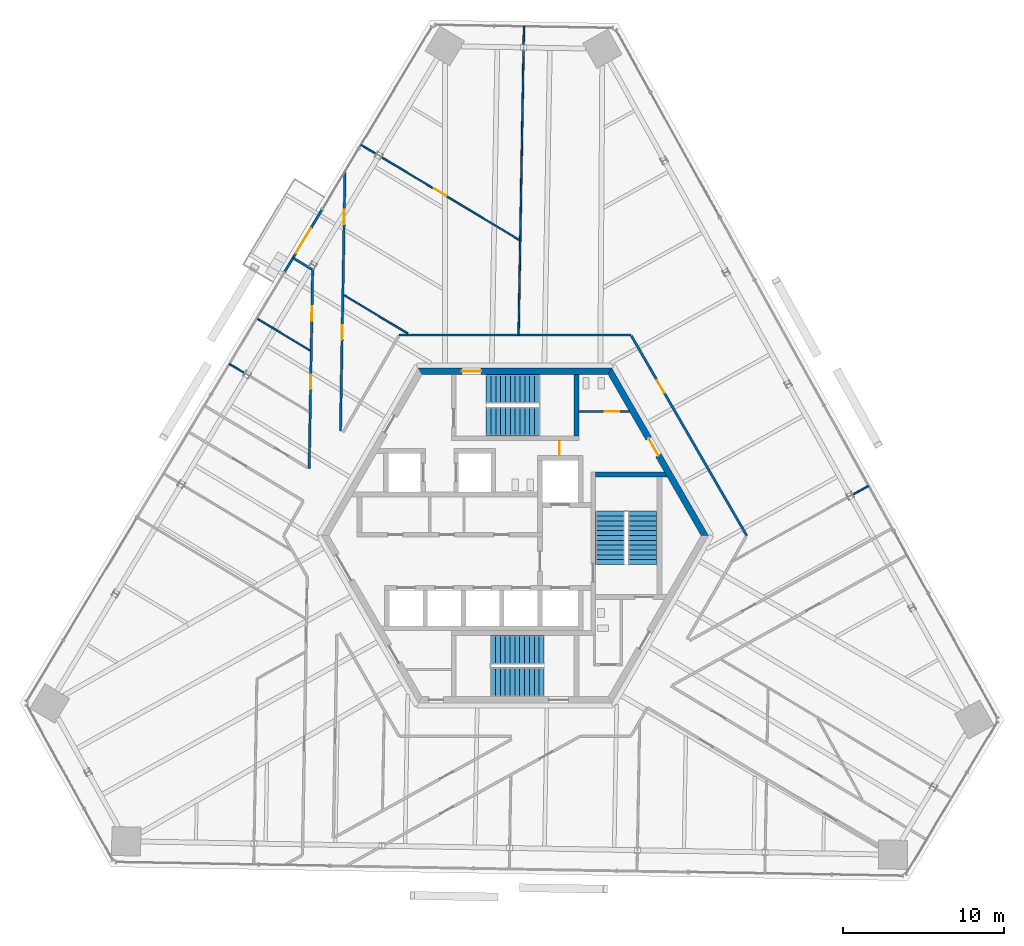
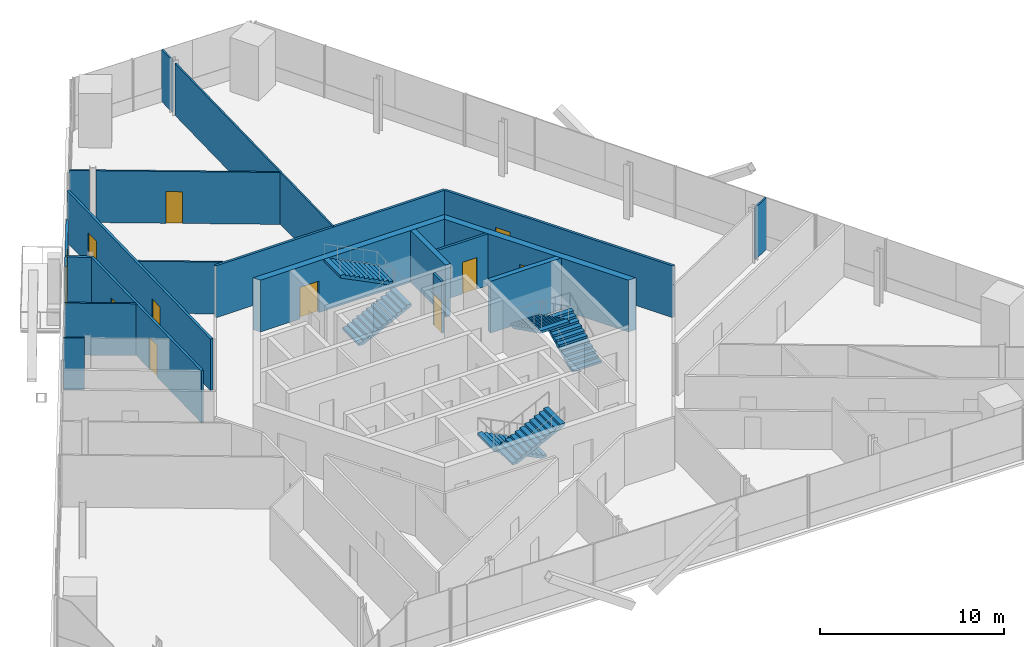
# One storey, part 14 of 18: 20 walls, 11 doors, 6 stair flights, 11 openings, 3 elements without a shape of their own.
"""IFC4 building model written with IfcOpenShell, lengths in metres."""

from ifc_helpers import new_model, si_unit, direction, frame, frame_2d, origin, place, context, subcontext, project, spatial, polyline, rectangle, outline, extrude, source, transform, mapped, material, layer, layer_set, type_object, element, fill, aggregate, save


model = new_model("IFC4")

# Units and contexts
model_context = context("Model", 3, precision=1e-05, world=origin(), true_north=direction((0.0, 1.0)))
body_context = subcontext(model_context, "Body", "Model", "MODEL_VIEW")
ifc_project = project(units=[si_unit("LENGTHUNIT", "METRE"), si_unit("AREAUNIT", "SQUARE_METRE"), si_unit("VOLUMEUNIT", "CUBIC_METRE"), si_unit("PLANEANGLEUNIT", "RADIAN"), si_unit("MASSUNIT", "GRAM", prefix="KILO")], contexts=[model_context])

# Site, building, storey
site_placement = place(None, origin())
site = spatial("IfcSite", under=ifc_project, at=site_placement, CompositionType="ELEMENT")
building_placement = place(site_placement, origin())
building = spatial("IfcBuilding", under=site, at=building_placement, Name="Triune Harvest Tower", CompositionType="ELEMENT")
storey_placement = place(building_placement, frame((0.0, 0.0, 197.89990234375)))
storey = spatial("IfcBuildingStorey", under=building, at=storey_placement, Name="L51", CompositionType="ELEMENT", Elevation=197.89990234375)

# Wall, opening, door
ifc_material_1 = material(Name="Gypsum board on steel studs", Category="steel")
ifc_layer_1 = layer(ifc_material_1, 0.14990234375)
ifc_layer_set_1 = layer_set([ifc_layer_1], Name="Gypsum board on steel studs")
wall_type_1 = type_object("IfcWallType", Name="Fire Partition 150 mm", PredefinedType="PARTITIONING", material=ifc_layer_set_1)
wall_1_placement = place(storey_placement, frame((7.20849609375, 12.39892578125, 0.0), z_axis=(0.0, 0.0, 1.0), x_axis=(0.5000088147, -0.866020314555, 0.0)))
wall_1 = element("IfcWall", 1, at=wall_1_placement, inside=storey, type_object=wall_type_1, Name="Partition L51 004", PredefinedType="PARTITIONING", context=body_context, shape_type="SweptSolid", body=[
    extrude(rectangle(XDim=14.317138671875, YDim=0.14990234375, at=frame_2d((7.15869140625, 0.0))), origin(), (0.0, 0.0, 1.0), 3.440185546875),
])
opening_1_placement = place(wall_1_placement, frame((3.20068359375, 0.0, 0.0)))
opening_1 = element("IfcOpeningElement", 2, at=opening_1_placement, cuts=wall_1, Name="Opening L51-003", PredefinedType="OPENING", context=body_context, shape_type="SweptSolid", body=[
    extrude(rectangle(XDim=0.89990234375, YDim=2.10009765625, at=frame_2d((0.449951171875, 1.050048828125))), frame((0.0, 0.0849609375, 0.0), z_axis=(0.0, -1.0, 0.0), x_axis=(1.0, 0.0, 0.0)), (0.0, 0.0, 1.0), 0.169921875),
])
ifc_material_2 = material(Name="Timber and steel door set", Category="steel")
door_type_1 = type_object("IfcDoorType", Name="Single leaf door FD30 left hand 900 x 2100", OperationType="SINGLE_SWING_LEFT", PredefinedType="DOOR", material=ifc_material_2)
door_1_placement = place(opening_1_placement, origin())
door_1 = element("IfcDoor", 3, at=door_1_placement, inside=storey, type_object=door_type_1, Name="Door L51-003 Open Office 51.03", OperationType="SINGLE_SWING_LEFT", OverallHeight=2.10009765625, OverallWidth=0.89990234375, PredefinedType="DOOR", context=body_context, shape_type="SweptSolid", body=[
    extrude(rectangle(XDim=0.89990234375, YDim=2.10009765625, at=frame_2d((0.449951171875, 1.050048828125))), frame((0.0, 0.02490234375, 0.0), z_axis=(0.0, -1.0, 0.0), x_axis=(1.0, 0.0, 0.0)), (0.0, 0.0, 1.0), 0.050048828125),
])
fill(opening_1, door_1)

# Wall
wall_2_placement = place(storey_placement, frame((-13.772705078125, 17.22509765625, 0.0), z_axis=(0.0, 0.0, 1.0), x_axis=(0.857115499065, -0.515124277493, 0.0)))
element("IfcWall", 4, at=wall_2_placement, inside=storey, type_object=wall_type_1, Name="Partition L51 018", PredefinedType="PARTITIONING", context=body_context, shape_type="SweptSolid", body=[
    extrude(rectangle(XDim=1.37060546875, YDim=0.14990234375, at=frame_2d((0.685302734375, 0.0))), origin(), (0.0, 0.0, 1.0), 3.440185546875),
])

# Wall, openings, doors
wall_3_placement = place(storey_placement, frame((-10.8291015625, 6.50341796875, 0.0), z_axis=(0.0, 0.0, 1.0), x_axis=(0.017449085166, 0.999847753124, 0.0)))
wall_3 = element("IfcWall", 5, at=wall_3_placement, inside=storey, type_object=wall_type_1, Name="Partition L51 048", PredefinedType="PARTITIONING", context=body_context, shape_type="SweptSolid", body=[
    extrude(rectangle(XDim=16.09033203125, YDim=0.14990234375, at=frame_2d((8.045166015625, 0.0))), origin(), (0.0, 0.0, 1.0), 3.440185546875),
])
opening_2_placement = place(wall_3_placement, frame((12.80712890625, 0.0, 0.0)))
opening_2 = element("IfcOpeningElement", 6, at=opening_2_placement, cuts=wall_3, Name="Opening L51-005", PredefinedType="OPENING", context=body_context, shape_type="SweptSolid", body=[
    extrude(rectangle(XDim=0.89990234375, YDim=2.10009765625, at=frame_2d((0.449951171875, 1.050048828125))), frame((0.0, 0.0849609375, 0.0), z_axis=(0.0, -1.0, 0.0), x_axis=(1.0, 0.0, 0.0)), (0.0, 0.0, 1.0), 0.169921875),
])
opening_3_placement = place(wall_3_placement, frame((5.65771484375, 0.0, 0.0)))
opening_3 = element("IfcOpeningElement", 7, at=opening_3_placement, cuts=wall_3, Name="Opening L51-008", PredefinedType="OPENING", context=body_context, shape_type="SweptSolid", body=[
    extrude(rectangle(XDim=0.89990234375, YDim=2.10009765625, at=frame_2d((0.449951171875, 1.050048828125))), frame((0.0, 0.0849609375, 0.0), z_axis=(0.0, -1.0, 0.0), x_axis=(1.0, 0.0, 0.0)), (0.0, 0.0, 1.0), 0.169921875),
])
door_2_placement = place(opening_2_placement, origin())
door_2 = element("IfcDoor", 8, at=door_2_placement, inside=storey, type_object=door_type_1, Name="Door L51-005 Project Room 51.05", OperationType="SINGLE_SWING_LEFT", OverallHeight=2.10009765625, OverallWidth=0.89990234375, PredefinedType="DOOR", context=body_context, shape_type="SweptSolid", body=[
    extrude(rectangle(XDim=0.89990234375, YDim=2.10009765625, at=frame_2d((0.449951171875, 1.050048828125))), frame((0.0, 0.02490234375, 0.0), z_axis=(0.0, -1.0, 0.0), x_axis=(1.0, 0.0, 0.0)), (0.0, 0.0, 1.0), 0.050048828125),
])
fill(opening_2, door_2)
ifc_material_3 = material(Name="Timber and steel door set", Category="steel")
door_type_2 = type_object("IfcDoorType", Name="Single leaf door FD30 right hand 900 x 2100", OperationType="SINGLE_SWING_RIGHT", PredefinedType="DOOR", material=ifc_material_3)
door_3_placement = place(opening_3_placement, origin())
door_3 = element("IfcDoor", 9, at=door_3_placement, inside=storey, type_object=door_type_2, Name="Door L51-008 Pantry 51.08", OperationType="SINGLE_SWING_RIGHT", OverallHeight=2.10009765625, OverallWidth=0.89990234375, PredefinedType="DOOR", context=body_context, shape_type="SweptSolid", body=[
    extrude(rectangle(XDim=0.89990234375, YDim=2.10009765625, at=frame_2d((0.449951171875, 1.050048828125))), frame((0.0, 0.02490234375, 0.0), z_axis=(0.0, -1.0, 0.0), x_axis=(1.0, 0.0, 0.0)), (0.0, 0.0, 1.0), 0.050048828125),
])
fill(opening_3, door_3)

wall_4_placement = place(storey_placement, frame((-12.770263671875, 4.1572265625, 0.0), z_axis=(0.0, 0.0, 1.0), x_axis=(0.017453009378, 0.999847684632, 0.0)))
wall_4 = element("IfcWall", 10, at=wall_4_placement, inside=storey, type_object=wall_type_1, Name="Partition L51 050", PredefinedType="PARTITIONING", context=body_context, shape_type="SweptSolid", body=[
    extrude(rectangle(XDim=12.337890625, YDim=0.14990234375, at=frame_2d((6.1689453125, 0.0))), origin(), (0.0, 0.0, 1.0), 3.440185546875),
])
opening_4_placement = place(wall_4_placement, frame((4.93408203125, 0.0, 0.0)))
opening_4 = element("IfcOpeningElement", 11, at=opening_4_placement, cuts=wall_4, Name="Opening L51-006", PredefinedType="OPENING", context=body_context, shape_type="SweptSolid", body=[
    extrude(rectangle(XDim=0.89990234375, YDim=2.10009765625, at=frame_2d((0.449951171875, 1.050048828125))), frame((0.0, 0.0849609375, 0.0), z_axis=(0.0, -1.0, 0.0), x_axis=(1.0, 0.0, 0.0)), (0.0, 0.0, 1.0), 0.169921875),
])
opening_5_placement = place(wall_4_placement, frame((9.18359375, 0.0, 0.0)))
opening_5 = element("IfcOpeningElement", 12, at=opening_5_placement, cuts=wall_4, Name="Opening L51-007", PredefinedType="OPENING", context=body_context, shape_type="SweptSolid", body=[
    extrude(rectangle(XDim=0.89990234375, YDim=2.10009765625, at=frame_2d((0.449951171875, 1.050048828125))), frame((0.0, 0.0849609375, 0.0), z_axis=(0.0, -1.0, 0.0), x_axis=(1.0, 0.0, 0.0)), (0.0, 0.0, 1.0), 0.169921875),
])
door_4_placement = place(opening_4_placement, origin())
door_4 = element("IfcDoor", 13, at=door_4_placement, inside=storey, type_object=door_type_1, Name="Door L51-006 Print room 51.06", OperationType="SINGLE_SWING_LEFT", OverallHeight=2.10009765625, OverallWidth=0.89990234375, PredefinedType="DOOR", context=body_context, shape_type="SweptSolid", body=[
    extrude(rectangle(XDim=0.89990234375, YDim=2.10009765625, at=frame_2d((0.449951171875, 1.050048828125))), frame((0.0, 0.02490234375, 0.0), z_axis=(0.0, -1.0, 0.0), x_axis=(1.0, 0.0, 0.0)), (0.0, 0.0, 1.0), 0.050048828125),
])
fill(opening_4, door_4)
door_5_placement = place(opening_5_placement, origin())
door_5 = element("IfcDoor", 14, at=door_5_placement, inside=storey, type_object=door_type_2, Name="Door L51-007 Pantry 51.07", OperationType="SINGLE_SWING_RIGHT", OverallHeight=2.10009765625, OverallWidth=0.89990234375, PredefinedType="DOOR", context=body_context, shape_type="SweptSolid", body=[
    extrude(rectangle(XDim=0.89990234375, YDim=2.10009765625, at=frame_2d((0.449951171875, 1.050048828125))), frame((0.0, 0.02490234375, 0.0), z_axis=(0.0, -1.0, 0.0), x_axis=(1.0, 0.0, 0.0)), (0.0, 0.0, 1.0), 0.050048828125),
])
fill(opening_5, door_5)

# Walls
ifc_material_4 = material(Name="Gypsum board on steel studs", Category="steel")
ifc_layer_2 = layer(ifc_material_4, 0.10009765625)
ifc_layer_set_2 = layer_set([ifc_layer_2], Name="Gypsum board on steel studs")
wall_type_2 = type_object("IfcWallType", Name="Partition 100 mm", PredefinedType="PARTITIONING", material=ifc_layer_set_2)
wall_5_placement = place(storey_placement, frame((-16.02685546875, 13.473388671875, 0.0), z_axis=(0.0, 0.0, 1.0), x_axis=(0.857196811021, -0.514988958305, 0.0)))
element("IfcWall", 15, at=wall_5_placement, inside=storey, type_object=wall_type_2, Name="Partition L51 016", PredefinedType="PARTITIONING", context=body_context, shape_type="SweptSolid", body=[
    extrude(rectangle(XDim=3.857421875, YDim=0.10009765625, at=frame_2d((1.9287109375, 0.0))), origin(), (0.0, 0.0, 1.0), 3.440185546875),
])
wall_6_placement = place(storey_placement, frame((-10.604248046875, 14.912841796875, 0.0), z_axis=(0.0, 0.0, 1.0), x_axis=(0.857174779456, -0.515025627968, 0.0)))
element("IfcWall", 16, at=wall_6_placement, inside=storey, type_object=wall_type_2, Name="Partition L51 017", PredefinedType="PARTITIONING", context=body_context, shape_type="SweptSolid", body=[
    extrude(rectangle(XDim=4.606689453125, YDim=0.10009765625, at=frame_2d((2.30322265625, 0.0))), origin(), (0.0, 0.0, 1.0), 3.440185546875),
])

# Wall, opening, door
wall_7_placement = place(storey_placement, frame((-8.294921875, 23.480224609375, 0.0), z_axis=(0.0, 0.0, 1.0), x_axis=(0.857173616103, -0.515027564172, 0.0)))
wall_7 = element("IfcWall", 17, at=wall_7_placement, inside=storey, type_object=wall_type_2, Name="Partition L51 020", PredefinedType="PARTITIONING", context=body_context, shape_type="SweptSolid", body=[
    extrude(rectangle(XDim=9.98974609375, YDim=0.10009765625, at=frame_2d((4.994873046875, 0.0))), origin(), (0.0, 0.0, 1.0), 3.440185546875),
])
opening_6_placement = place(wall_7_placement, frame((3.7998046875, 0.0, 0.0)))
opening_6 = element("IfcOpeningElement", 18, at=opening_6_placement, cuts=wall_7, Name="Opening L51-004", PredefinedType="OPENING", context=body_context, shape_type="SweptSolid", body=[
    extrude(rectangle(XDim=0.89990234375, YDim=2.10009765625, at=frame_2d((0.449951171875, 1.050048828125))), frame((0.0, 0.06005859375, 0.0), z_axis=(0.0, -1.0, 0.0), x_axis=(1.0, 0.0, 0.0)), (0.0, 0.0, 1.0), 0.1201171875),
])
ifc_material_5 = material(Name="Timber and steel door set", Category="steel")
door_type_3 = type_object("IfcDoorType", Name="Single leaf door left hand 900 x 2100", OperationType="SINGLE_SWING_LEFT", PredefinedType="DOOR", material=ifc_material_5)
door_6_placement = place(opening_6_placement, origin())
door_6 = element("IfcDoor", 19, at=door_6_placement, inside=storey, type_object=door_type_3, Name="Door L51-004 Reception 51.04", OperationType="SINGLE_SWING_LEFT", OverallHeight=2.10009765625, OverallWidth=0.89990234375, PredefinedType="DOOR", context=body_context, shape_type="SweptSolid", body=[
    extrude(rectangle(XDim=0.89990234375, YDim=2.10009765625, at=frame_2d((0.449951171875, 1.050048828125))), frame((0.0, 0.02490234375, 0.0), z_axis=(0.0, -1.0, 0.0), x_axis=(1.0, 0.0, 0.0)), (0.0, 0.0, 1.0), 0.050048828125),
])
fill(opening_6, door_6)

# Wall
wall_8_placement = place(storey_placement, frame((0.21728515625, 12.4423828125, 0.0), z_axis=(0.0, 0.0, 1.0), x_axis=(0.017439609596, 0.999847918444, 0.0)))
element("IfcWall", 20, at=wall_8_placement, inside=storey, type_object=wall_type_2, Name="Partition L51 044", PredefinedType="PARTITIONING", context=body_context, shape_type="SweptSolid", body=[
    extrude(rectangle(XDim=17.6669921875, YDim=0.10009765625, at=frame_2d((8.83349609375, 0.0))), origin(), (0.0, 0.0, 1.0), 3.440185546875),
])

# Wall, opening, door
ifc_material_6 = material(Name="Aluminium bronze anodised", Category="aluminium")
ifc_layer_3 = layer(ifc_material_6, 0.14990234375)
ifc_layer_set_3 = layer_set([ifc_layer_3], Name="Aluminium bronze anodised")
wall_type_3 = type_object("IfcWallType", Name="WW-2 balcony window wall", PredefinedType="ELEMENTEDWALL", material=ifc_layer_set_3)
wall_9_placement = place(storey_placement, frame((-14.277587890625, 16.384765625, 0.0), z_axis=(0.0, 0.0, 1.0), x_axis=(0.515034931991, 0.857169189151, 0.0)))
wall_9 = element("IfcWall", 21, at=wall_9_placement, inside=storey, type_object=wall_type_3, Name="WW-2 B5-F3 L51.4", PredefinedType="ELEMENTEDWALL", context=body_context, shape_type="SweptSolid", body=[
    extrude(rectangle(XDim=4.460693359375, YDim=0.14990234375, at=frame_2d((2.23046875, 0.0))), origin(), (0.0, 0.0, 1.0), 3.440185546875),
])
opening_7_placement = place(wall_9_placement, frame((1.330322265625, 0.0, 0.0)))
opening_7 = element("IfcOpeningElement", 22, at=opening_7_placement, cuts=wall_9, Name="Opening L51-E01", PredefinedType="OPENING", context=body_context, shape_type="SweptSolid", body=[
    extrude(rectangle(XDim=1.800048828125, YDim=2.39990234375, at=frame_2d((0.89990234375, 1.199951171875))), frame((0.0, 0.0849609375, 0.0), z_axis=(0.0, -1.0, 0.0), x_axis=(1.0, 0.0, 0.0)), (0.0, 0.0, 1.0), 0.169921875),
])
ifc_material_7 = material(Name="Glass", Category="glass")
door_type_4 = type_object("IfcDoorType", Name="DB-1 balcony door 1800 x 2400", OperationType="DOUBLE_DOOR_SINGLE_SWING", PredefinedType="DOOR", material=ifc_material_7)
door_7_placement = place(opening_7_placement, origin())
door_7 = element("IfcDoor", 23, at=door_7_placement, inside=storey, type_object=door_type_4, Name="Door L51-E01", OperationType="DOUBLE_DOOR_SINGLE_SWING", OverallHeight=2.39990234375, OverallWidth=1.800048828125, PredefinedType="DOOR", context=body_context, shape_type="SweptSolid", body=[
    extrude(rectangle(XDim=1.800048828125, YDim=2.39990234375, at=frame_2d((0.89990234375, 1.199951171875))), frame((0.0, 0.02490234375, 0.0), z_axis=(0.0, -1.0, 0.0), x_axis=(1.0, 0.0, 0.0)), (0.0, 0.0, 1.0), 0.050048828125),
])
fill(opening_7, door_7)

ifc_material_8 = material(Name="Concrete 70 MPa", Category="concrete")
ifc_layer_4 = layer(ifc_material_8, 0.39990234375)
ifc_layer_set_4 = layer_set([ifc_layer_4], Name="Concrete 70 MPa")
wall_type_4 = type_object("IfcWallType", Name="Core wall 400", PredefinedType="SHEAR", material=ifc_layer_set_4)
shared_shape_1 = source(origin(), body_context, "Body", "SweptSolid", [
    extrude(outline(polyline([(-0.115478515625, -0.199951171875), (11.884521484375, -0.199951171875), (11.653564453125, 0.199951171875), (0.115478515625, 0.199951171875), (-0.115478515625, -0.199951171875)])), origin(), (0.0, 0.0, 1.0), 3.440185546875),
])
wall_10_placement = place(storey_placement, frame((11.76904296875, 0.0, 0.0), z_axis=(0.0, 0.0, 1.0), x_axis=(-0.499996592174, 0.866027371285, 0.0)))
wall_10 = element("IfcWall", 24, at=wall_10_placement, inside=storey, type_object=wall_type_4, Name="Hexagon 0 wall", PredefinedType="SHEAR", context=body_context, shape_type="MappedRepresentation", body=[
    mapped(shared_shape_1, transform((0.0, 0.0, 0.0), scale=1.0)),
])
opening_8_placement = place(wall_10_placement, frame((5.75048828125, 0.0, 0.0)))
opening_8 = element("IfcOpeningElement", 25, at=opening_8_placement, cuts=wall_10, Name="Opening CD-WCP", PredefinedType="OPENING", context=body_context, shape_type="SweptSolid", body=[
    extrude(rectangle(XDim=1.199951171875, YDim=2.10009765625, at=frame_2d((0.60009765625, 1.050048828125))), frame((0.0, 0.2099609375, 0.0), z_axis=(0.0, -1.0, 0.0), x_axis=(1.0, 0.0, 0.0)), (0.0, 0.0, 1.0), 0.419921875),
])
ifc_material_9 = material(Name="Steel S235", Category="steel")
door_type_5 = type_object("IfcDoorType", Name="Lobby door 1200 FD120", OperationType="SINGLE_SWING_LEFT", PredefinedType="DOOR", material=ifc_material_9)
door_8_placement = place(opening_8_placement, frame((1.199951171875, 0.0, 0.0), z_axis=(0.0, 0.0, 1.0), x_axis=(-1.0, 0.0, 0.0)))
door_8 = element("IfcDoor", 26, at=door_8_placement, inside=storey, type_object=door_type_5, Name="Door CD-WCP", OperationType="SINGLE_SWING_RIGHT", OverallHeight=2.10009765625, OverallWidth=1.199951171875, PredefinedType="DOOR", context=body_context, shape_type="SweptSolid", body=[
    extrude(rectangle(XDim=1.199951171875, YDim=2.10009765625, at=frame_2d((0.60009765625, 1.050048828125))), frame((0.0, 0.02490234375, 0.0), z_axis=(0.0, -1.0, 0.0), x_axis=(1.0, 0.0, 0.0)), (0.0, 0.0, 1.0), 0.050048828125),
])
fill(opening_8, door_8)

wall_11_placement = place(storey_placement, frame((5.884521484375, 10.1923828125, 0.0), z_axis=(0.0, 0.0, 1.0), x_axis=(-1.0, 0.0, 0.0)))
wall_11 = element("IfcWall", 27, at=wall_11_placement, inside=storey, type_object=wall_type_4, Name="Hexagon 1 wall", PredefinedType="SHEAR", context=body_context, shape_type="MappedRepresentation", body=[
    mapped(shared_shape_1, transform((0.0, 0.0, 0.0), scale=1.0)),
])
opening_9_placement = place(wall_11_placement, frame((7.984619140625, 0.0, 0.0)))
opening_9 = element("IfcOpeningElement", 28, at=opening_9_placement, cuts=wall_11, Name="Opening CD-S1P", PredefinedType="OPENING", context=body_context, shape_type="SweptSolid", body=[
    extrude(rectangle(XDim=1.199951171875, YDim=2.10009765625, at=frame_2d((0.60009765625, 1.050048828125))), frame((0.0, 0.2099609375, 0.0), z_axis=(0.0, -1.0, 0.0), x_axis=(1.0, 0.0, 0.0)), (0.0, 0.0, 1.0), 0.419921875),
])
ifc_material_10 = material(Name="Steel S235", Category="steel")
door_type_6 = type_object("IfcDoorType", Name="Stair door 1200 FD120", OperationType="SINGLE_SWING_LEFT", PredefinedType="DOOR", material=ifc_material_10)
door_9_placement = place(opening_9_placement, frame((1.199951171875, 0.0, 0.0), z_axis=(0.0, 0.0, 1.0), x_axis=(-1.0, 0.0, 0.0)))
door_9 = element("IfcDoor", 29, at=door_9_placement, inside=storey, type_object=door_type_6, Name="Door CD-S1P", OperationType="SINGLE_SWING_RIGHT", OverallHeight=2.10009765625, OverallWidth=1.199951171875, PredefinedType="DOOR", context=body_context, shape_type="SweptSolid", body=[
    extrude(rectangle(XDim=1.199951171875, YDim=2.10009765625, at=frame_2d((0.60009765625, 1.050048828125))), frame((0.0, 0.02490234375, 0.0), z_axis=(0.0, -1.0, 0.0), x_axis=(1.0, 0.0, 0.0)), (0.0, 0.0, 1.0), 0.050048828125),
])
fill(opening_9, door_9)

# Walls
ifc_material_11 = material(Name="Concrete 70 MPa", Category="concrete")
ifc_layer_5 = layer(ifc_material_11, 0.300048828125)
ifc_layer_set_5 = layer_set([ifc_layer_5], Name="Concrete 70 MPa")
wall_type_5 = type_object("IfcWallType", Name="Core wall 300", PredefinedType="SHEAR", material=ifc_layer_set_5)
shared_shape_2 = source(origin(), body_context, "Body", "SweptSolid", [
    extrude(outline(polyline([(0.0, -0.14990234375), (0.0, 0.14990234375), (4.260009765625, 0.14990234375), (4.43310546875, -0.14990234375), (0.0, -0.14990234375)])), origin(), (0.0, 0.0, 1.0), 3.440185546875),
])
wall_12_placement = place(storey_placement, frame((5.0, 3.800048828125, 0.0), z_axis=(0.0, 0.0, 1.0), x_axis=(1.0, 0.0, 0.0)))
element("IfcWall", 30, at=wall_12_placement, inside=storey, type_object=wall_type_5, Name="Stair e north wall", PredefinedType="SHEAR", context=body_context, shape_type="MappedRepresentation", body=[
    mapped(shared_shape_2, transform((0.0, 0.0, 0.0), scale=1.0)),
])
shared_shape_3 = source(origin(), body_context, "Body", "SweptSolid", [
    extrude(outline(polyline([(0.0, -0.14990234375), (0.0, 0.14990234375), (3.80419921875, 0.14990234375), (3.80419921875, -0.14990234375), (0.0, -0.14990234375)])), origin(), (0.0, 0.0, 1.0), 3.440185546875),
])
wall_13_placement = place(storey_placement, frame((3.800048828125, 6.18994140625, 0.0), z_axis=(0.0, 0.0, 1.0), x_axis=(0.0, 1.0, 0.0)))
element("IfcWall", 31, at=wall_13_placement, inside=storey, type_object=wall_type_5, Name="Stair n east wall", PredefinedType="SHEAR", context=body_context, shape_type="MappedRepresentation", body=[
    mapped(shared_shape_3, transform((0.0, 0.0, 0.0), scale=1.0)),
])

# Wall, opening, door
ifc_material_12 = material(Name="Concrete masonry unit", Category="masonry")
ifc_layer_6 = layer(ifc_material_12, 0.14990234375)
ifc_layer_set_6 = layer_set([ifc_layer_6], Name="Concrete masonry unit")
wall_type_6 = type_object("IfcWallType", Name="Block partition 150 unrated", PredefinedType="PARTITIONING", material=ifc_layer_set_6)
shared_shape_4 = source(origin(), body_context, "Body", "SweptSolid", [
    extrude(outline(polyline([(0.0, -0.074951171875), (0.0, 0.074951171875), (3.1015625, 0.074951171875), (3.18798828125, -0.074951171875), (0.0, -0.074951171875)])), origin(), (0.0, 0.0, 1.0), 3.440185546875),
])
wall_14_placement = place(storey_placement, frame((3.949951171875, 7.699951171875, 0.0), z_axis=(0.0, 0.0, 1.0), x_axis=(1.0, 0.0, 0.0)))
wall_14 = element("IfcWall", 32, at=wall_14_placement, inside=storey, type_object=wall_type_6, Name="Wc women south wall", PredefinedType="PARTITIONING", context=body_context, shape_type="MappedRepresentation", body=[
    mapped(shared_shape_4, transform((0.0, 0.0, 0.0), scale=1.0)),
])
opening_10_placement = place(wall_14_placement, frame((1.60009765625, 0.0, 0.0)))
opening_10 = element("IfcOpeningElement", 33, at=opening_10_placement, cuts=wall_14, Name="Opening CD-WW", PredefinedType="OPENING", context=body_context, shape_type="SweptSolid", body=[
    extrude(rectangle(XDim=0.89990234375, YDim=2.10009765625, at=frame_2d((0.449951171875, 1.050048828125))), frame((0.0, 0.0849609375, 0.0), z_axis=(0.0, -1.0, 0.0), x_axis=(1.0, 0.0, 0.0)), (0.0, 0.0, 1.0), 0.169921875),
])
ifc_material_13 = material(Name="Timber C24", Category="wood")
door_type_7 = type_object("IfcDoorType", Name="WC door 900", OperationType="SINGLE_SWING_LEFT", PredefinedType="DOOR", material=ifc_material_13)
door_10_placement = place(opening_10_placement, origin())
door_10 = element("IfcDoor", 34, at=door_10_placement, inside=storey, type_object=door_type_7, Name="Door CD-WW", OperationType="SINGLE_SWING_LEFT", OverallHeight=2.10009765625, OverallWidth=0.89990234375, PredefinedType="DOOR", context=body_context, shape_type="SweptSolid", body=[
    extrude(rectangle(XDim=0.89990234375, YDim=2.10009765625, at=frame_2d((0.449951171875, 1.050048828125))), frame((0.0, 0.02490234375, 0.0), z_axis=(0.0, -1.0, 0.0), x_axis=(1.0, 0.0, 0.0)), (0.0, 0.0, 1.0), 0.050048828125),
])
fill(opening_10, door_10)

shared_shape_5 = source(origin(), body_context, "Body", "SweptSolid", [
    extrude(rectangle(XDim=0.929931640625, YDim=0.14990234375, at=frame_2d((0.46484375, 0.0))), origin(), (0.0, 0.0, 1.0), 3.440185546875),
])
wall_15_placement = place(storey_placement, frame((2.75, 4.9599609375, 0.0), z_axis=(0.0, 0.0, 1.0), x_axis=(0.0, 1.0, 0.0)))
wall_15 = element("IfcWall", 35, at=wall_15_placement, inside=storey, type_object=wall_type_6, Name="Wc men east b wall", PredefinedType="PARTITIONING", context=body_context, shape_type="MappedRepresentation", body=[
    mapped(shared_shape_5, transform((0.0, 0.0, 0.0), scale=1.0)),
])
opening_11_placement = place(wall_15_placement, frame((0.014892578125, 0.0, 0.0)))
opening_11 = element("IfcOpeningElement", 36, at=opening_11_placement, cuts=wall_15, Name="Opening CD-WM", PredefinedType="OPENING", context=body_context, shape_type="SweptSolid", body=[
    extrude(rectangle(XDim=0.89990234375, YDim=2.10009765625, at=frame_2d((0.449951171875, 1.050048828125))), frame((0.0, 0.0849609375, 0.0), z_axis=(0.0, -1.0, 0.0), x_axis=(1.0, 0.0, 0.0)), (0.0, 0.0, 1.0), 0.169921875),
])
door_11_placement = place(opening_11_placement, origin())
door_11 = element("IfcDoor", 37, at=door_11_placement, inside=storey, type_object=door_type_7, Name="Door CD-WM", OperationType="SINGLE_SWING_LEFT", OverallHeight=2.10009765625, OverallWidth=0.89990234375, PredefinedType="DOOR", context=body_context, shape_type="SweptSolid", body=[
    extrude(rectangle(XDim=0.89990234375, YDim=2.10009765625, at=frame_2d((0.449951171875, 1.050048828125))), frame((0.0, 0.02490234375, 0.0), z_axis=(0.0, -1.0, 0.0), x_axis=(1.0, 0.0, 0.0)), (0.0, 0.0, 1.0), 0.050048828125),
])
fill(opening_11, door_11)

# Walls
shared_shape_6 = source(origin(), body_context, "Body", "SweptSolid", [
    extrude(rectangle(XDim=14.3671875, YDim=0.14990234375, at=frame_2d((7.18359375, 0.0))), origin(), (0.0, 0.0, 1.0), 3.440185546875),
])
wall_16_placement = place(storey_placement, frame((-7.18359375, 12.4423828125, 0.0), z_axis=(0.0, 0.0, 1.0), x_axis=(1.0, 0.0, 0.0)))
element("IfcWall", 38, at=wall_16_placement, inside=storey, type_object=wall_type_1, Name="Partition L51 023", PredefinedType="PARTITIONING", context=body_context, shape_type="MappedRepresentation", body=[
    mapped(shared_shape_6, transform((0.0, 0.0, 0.0), scale=1.0)),
])
shared_shape_7 = source(origin(), body_context, "Body", "SweptSolid", [
    extrude(rectangle(XDim=1.13037109375, YDim=0.10009765625, at=frame_2d((0.565185546875, 0.0))), origin(), (0.0, 0.0, 1.0), 3.440185546875),
])
wall_17_placement = place(storey_placement, frame((-17.7236328125, 10.6494140625, 0.0), z_axis=(0.0, 0.0, 1.0), x_axis=(0.857149738065, -0.515067302919, 0.0)))
element("IfcWall", 39, at=wall_17_placement, inside=storey, type_object=wall_type_2, Name="Partition L51 012", PredefinedType="PARTITIONING", context=body_context, shape_type="MappedRepresentation", body=[
    mapped(shared_shape_7, transform((0.0, 0.0, 0.0), scale=1.0)),
])
shared_shape_8 = source(origin(), body_context, "Body", "SweptSolid", [
    extrude(rectangle(XDim=1.130615234375, YDim=0.10009765625, at=frame_2d((0.5654296875, 0.0))), origin(), (0.0, 0.0, 1.0), 3.440185546875),
])
for number, where, z_axis, x_axis, name in (
    (40, (-9.55810546875, 24.239501953125, 0.0), (0.0, 0.0, 1.0), (0.85705438935, -0.515225944316, 0.0), "Partition L51 019"),
    (41, (20.93896484375, 2.54296875, 0.0), (0.0, 0.0, 1.0), (0.874615280468, 0.484817606087, 0.0), "Partition L51 031"),
    (42, (0.531494140625, 30.449951171875, 0.0), (0.0, 0.0, 1.0), (0.017491923839, 0.999847004596, 0.0), "Partition L51 045"),
):
    element("IfcWall", number, at=place(storey_placement, frame(where, z_axis=z_axis, x_axis=x_axis)), inside=storey, type_object=wall_type_2, Name=name, PredefinedType="PARTITIONING", context=body_context, shape_type="MappedRepresentation", body=[
        mapped(shared_shape_8, transform((0.0, 0.0, 0.0), scale=1.0)),
    ])

# Stair, stair flights
ifc_material_14 = material(Name="Concrete 40 MPa", Category="concrete")
stair_type = type_object("IfcStairType", Name="Exit stair 1800 half turn", PredefinedType="HALF_TURN_STAIR", material=ifc_material_14)
stair_1_placement = place(storey_placement, origin())
stair_1 = element("IfcStair", 43, at=stair_1_placement, inside=storey, type_object=stair_type, Name="Exit stair north", PredefinedType="HALF_TURN_STAIR")
ifc_material_15 = material(Name="Concrete 40 MPa", Category="concrete")
stair_flight_type = type_object("IfcStairFlightType", Name="Stair flight 1800", PredefinedType="STRAIGHT", material=ifc_material_15)
shared_shape_9 = source(origin(), body_context, "Body", "SweptSolid", [
    extrude(outline(polyline([(0.0, 0.0), (0.0, 0.14990234375), (0.300048828125, 0.14990234375), (0.300048828125, 0.300048828125), (0.60009765625, 0.300048828125), (0.60009765625, 0.449951171875), (0.89990234375, 0.449951171875), (0.89990234375, 0.60009765625), (1.199951171875, 0.60009765625), (1.199951171875, 0.75), (1.5, 0.75), (1.5, 0.89990234375), (1.800048828125, 0.89990234375), (1.800048828125, 1.050048828125), (2.10009765625, 1.050048828125), (2.10009765625, 1.199951171875), (2.39990234375, 1.199951171875), (2.39990234375, 1.35009765625), (2.699951171875, 1.35009765625), (2.699951171875, 1.5), (3.0, 1.5), (3.0, 1.64990234375), (3.300048828125, 1.64990234375), (3.300048828125, 1.800048828125), (3.300048828125, 1.482421875), (0.335205078125, 0.0), (0.0, 0.0)])), frame((0.0, 0.89990234375, 0.0), z_axis=(0.0, -1.0, 0.0), x_axis=(1.0, 0.0, 0.0)), (0.0, 0.0, 1.0), 1.800048828125),
])
stair_flight_1_placement = place(storey_placement, frame((-1.7900390625, 7.090087890625, 0.0), z_axis=(0.0, 0.0, 1.0), x_axis=(1.0, 0.0, 0.0)))
stair_flight_1 = element("IfcStairFlight", 44, at=stair_flight_1_placement, type_object=stair_flight_type, Name="ST-1 flight 1", NumberOfRisers=12, NumberOfTreads=11, PredefinedType="STRAIGHT", RiserHeight=0.15, TreadLength=0.3, context=body_context, shape_type="MappedRepresentation", body=[
    mapped(shared_shape_9, transform((0.0, 0.0, 0.0), scale=1.0)),
])
stair_flight_2_placement = place(storey_placement, frame((1.510009765625, 9.090087890625, 1.800048828125), z_axis=(0.0, 0.0, 1.0), x_axis=(-1.0, 0.0, 0.0)))
stair_flight_2 = element("IfcStairFlight", 45, at=stair_flight_2_placement, type_object=stair_flight_type, Name="ST-1 flight 2", NumberOfRisers=12, NumberOfTreads=11, PredefinedType="STRAIGHT", RiserHeight=0.15, TreadLength=0.3, context=body_context, shape_type="MappedRepresentation", body=[
    mapped(shared_shape_9, transform((0.0, 0.0, 0.0), scale=1.0)),
])
aggregate(stair_1, [stair_flight_1, stair_flight_2])

stair_2_placement = place(storey_placement, origin())
stair_2 = element("IfcStair", 46, at=stair_2_placement, inside=storey, type_object=stair_type, Name="Exit stair south", PredefinedType="HALF_TURN_STAIR")
stair_flight_3_placement = place(storey_placement, frame((1.7900390625, -7.090087890625, 0.0), z_axis=(0.0, 0.0, 1.0), x_axis=(-1.0, 0.0, 0.0)))
stair_flight_3 = element("IfcStairFlight", 47, at=stair_flight_3_placement, type_object=stair_flight_type, Name="ST-2 flight 1", NumberOfRisers=12, NumberOfTreads=11, PredefinedType="STRAIGHT", RiserHeight=0.15, TreadLength=0.3, context=body_context, shape_type="MappedRepresentation", body=[
    mapped(shared_shape_9, transform((0.0, 0.0, 0.0), scale=1.0)),
])
stair_flight_4_placement = place(storey_placement, frame((-1.510009765625, -9.090087890625, 1.800048828125), z_axis=(0.0, 0.0, 1.0), x_axis=(1.0, 0.0, 0.0)))
stair_flight_4 = element("IfcStairFlight", 48, at=stair_flight_4_placement, type_object=stair_flight_type, Name="ST-2 flight 2", NumberOfRisers=12, NumberOfTreads=11, PredefinedType="STRAIGHT", RiserHeight=0.15, TreadLength=0.3, context=body_context, shape_type="MappedRepresentation", body=[
    mapped(shared_shape_9, transform((0.0, 0.0, 0.0), scale=1.0)),
])
aggregate(stair_2, [stair_flight_3, stair_flight_4])

stair_3_placement = place(storey_placement, origin())
stair_3 = element("IfcStair", 49, at=stair_3_placement, inside=storey, type_object=stair_type, Name="Exit stair east", PredefinedType="HALF_TURN_STAIR")
stair_flight_5_placement = place(storey_placement, frame((7.89990234375, -1.7900390625, 0.0), z_axis=(0.0, 0.0, 1.0), x_axis=(0.0, 1.0, 0.0)))
stair_flight_5 = element("IfcStairFlight", 50, at=stair_flight_5_placement, type_object=stair_flight_type, Name="ST-3 flight 1", NumberOfRisers=12, NumberOfTreads=11, PredefinedType="STRAIGHT", RiserHeight=0.15, TreadLength=0.3, context=body_context, shape_type="MappedRepresentation", body=[
    mapped(shared_shape_9, transform((0.0, 0.0, 0.0), scale=1.0)),
])
stair_flight_6_placement = place(storey_placement, frame((5.89990234375, 1.510009765625, 1.800048828125), z_axis=(0.0, 0.0, 1.0), x_axis=(0.0, -1.0, 0.0)))
stair_flight_6 = element("IfcStairFlight", 51, at=stair_flight_6_placement, type_object=stair_flight_type, Name="ST-3 flight 2", NumberOfRisers=12, NumberOfTreads=11, PredefinedType="STRAIGHT", RiserHeight=0.15, TreadLength=0.3, context=body_context, shape_type="MappedRepresentation", body=[
    mapped(shared_shape_9, transform((0.0, 0.0, 0.0), scale=1.0)),
])
aggregate(stair_3, [stair_flight_5, stair_flight_6])

save(model, "model.ifc")
